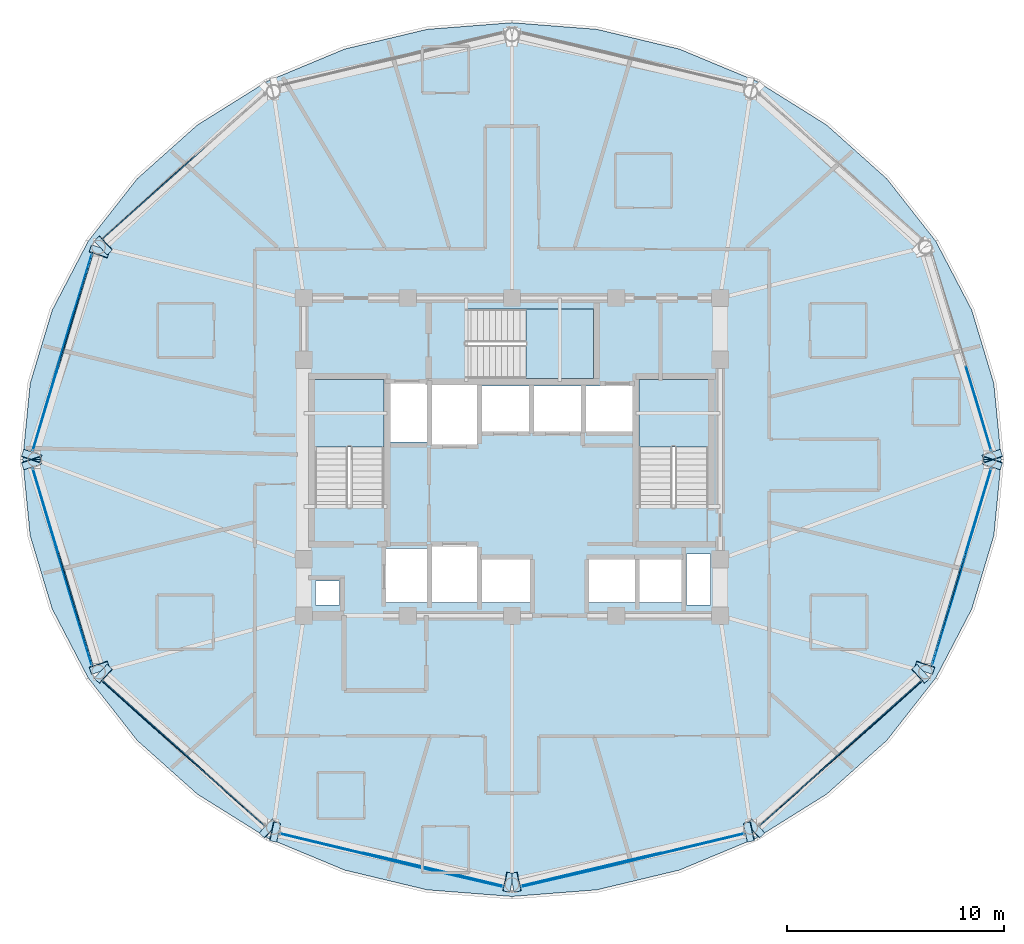
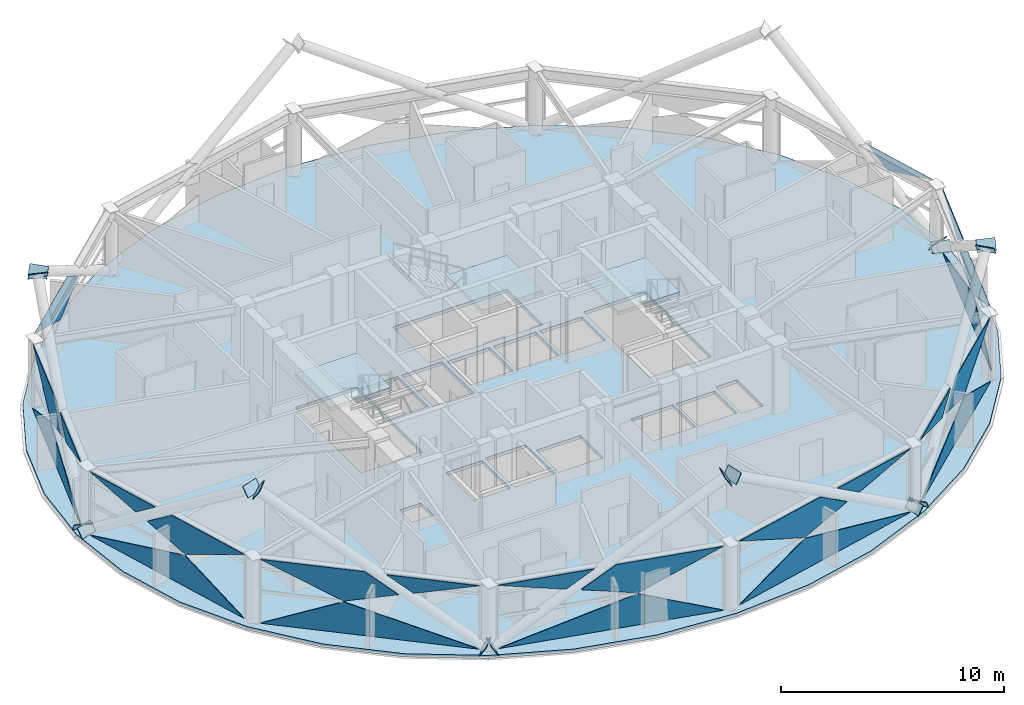
# One storey, part 20 of 29: 39 plates, 4 slabs, 12 elements without a shape of their own.
"""IFC4 building model written with IfcOpenShell, lengths in metres."""

from ifc_helpers import new_model, si_unit, direction, frame, origin, place, context, subcontext, project, spatial, polyline, outline, extrude, material, layer, layer_set, type_object, element, aggregate, save


model = new_model("IFC4")

# Units and contexts
model_context = context("Model", 3, precision=1e-05, world=origin(), true_north=direction((0.0, 1.0)))
body_context = subcontext(model_context, "Body", "Model", "MODEL_VIEW")
ifc_project = project(units=[si_unit("LENGTHUNIT", "METRE"), si_unit("AREAUNIT", "SQUARE_METRE"), si_unit("VOLUMEUNIT", "CUBIC_METRE"), si_unit("PLANEANGLEUNIT", "RADIAN"), si_unit("MASSUNIT", "GRAM", prefix="KILO")], contexts=[model_context])

# Site, building, storey
site_placement = place(None, origin())
site = spatial("IfcSite", under=ifc_project, at=site_placement, CompositionType="ELEMENT")
building_placement = place(site_placement, origin())
building = spatial("IfcBuilding", under=site, at=building_placement, Name="Vantalir Tower", CompositionType="ELEMENT")
storey_placement = place(building_placement, frame((0.0, 0.0, 227.39990234375)))
storey = spatial("IfcBuildingStorey", under=building, at=storey_placement, Name="L57", CompositionType="ELEMENT", Elevation=227.39990234375)

# Curtain wall, plate
ifc_material_1 = material(Name="Champagne-silver PVDF aluminium and double-silver Low-E glass", Category="aluminium")
ifc_layer_1 = layer(ifc_material_1, 0.2099609375)
ifc_layer_set_1 = layer_set([ifc_layer_1], Name="Champagne-silver PVDF aluminium and double-silver Low-E glass")
curtain_wall_type = type_object("IfcCurtainWallType", Name="CW-DIAMOND-Z3", PredefinedType="USERDEFINED", material=ifc_layer_set_1)
curtain_wall_1_placement = place(storey_placement, origin())
curtain_wall_1 = element("IfcCurtainWall", 1, at=curtain_wall_1_placement, inside=storey, type_object=curtain_wall_type, Name="L57 Quilted Pyramid-Diamond Curtain Wall S01", ObjectType="UNITISED CURTAIN WALL", PredefinedType="USERDEFINED")
ifc_material_2 = material(Name="Double-silver Low-E acoustic glass IGU", Category="glass")
ifc_layer_2 = layer(ifc_material_2, 0.031982421875)
ifc_layer_set_2 = layer_set([ifc_layer_2], Name="Double-silver Low-E acoustic glass IGU")
plate_type_1 = type_object("IfcPlateType", Name="CWP-IGU-32", PredefinedType="CURTAIN_PANEL", material=ifc_layer_set_2)
plate_1_placement = place(storey_placement, frame((53.615234375, 25.417236328125, 3.52392578125), z_axis=(0.95753695824, 0.287976002865, 0.013885077547), x_axis=(-0.288002961809, 0.957629516215, -6.0517538e-05)))
plate_1 = element("IfcPlate", 2, at=plate_1_placement, type_object=plate_type_1, Name="CW-L57-S01 Pyramid Diamond Facet 2U Infill Light", PredefinedType="CURTAIN_PANEL", context=body_context, shape_type="SweptSolid", body=[
    extrude(outline(polyline([(0.0, 0.0), (4.034212797939083, -8.944667923005412e-19), (2.8376503359346903, -0.8336488739894059), (0.0, 0.0)])), origin(), (0.0, 0.0, -1.0), 0.031982421875),
])
aggregate(curtain_wall_1, [plate_1])

curtain_wall_2_placement = place(storey_placement, origin())
curtain_wall_2 = element("IfcCurtainWall", 3, at=curtain_wall_2_placement, inside=storey, type_object=curtain_wall_type, Name="L57 Quilted Pyramid-Diamond Curtain Wall S05", ObjectType="UNITISED CURTAIN WALL", PredefinedType="USERDEFINED")
plate_2_placement = place(storey_placement, frame((16.15869140625, 38.3564453125, 3.5234375), z_axis=(-0.665198497623, 0.74654242452, 0.013614960566), x_axis=(-0.746612087311, -0.665259639901, -5.0993851e-05)))
plate_2 = element("IfcPlate", 4, at=plate_2_placement, type_object=plate_type_1, Name="CW-L57-S05 Pyramid Diamond Facet 2U", PredefinedType="CURTAIN_PANEL", context=body_context, shape_type="SweptSolid", body=[
    extrude(outline(polyline([(0.0, 0.0), (4.781059074266019, 2.2497195079074217e-18), (0.9666807196359591, -1.726184922627955), (-1.547985083381374, -1.0284942444870189), (0.0, 0.0)])), origin(), (0.0, 0.0, -1.0), 0.031982421875),
])
aggregate(curtain_wall_2, [plate_2])

# Curtain wall, plates
curtain_wall_3_placement = place(storey_placement, origin())
curtain_wall_3 = element("IfcCurtainWall", 5, at=curtain_wall_3_placement, inside=storey, type_object=curtain_wall_type, Name="L57 Quilted Pyramid-Diamond Curtain Wall S06", ObjectType="UNITISED CURTAIN WALL", PredefinedType="USERDEFINED")
plate_3_placement = place(storey_placement, frame((12.149658203125, 34.486083984375, 0.047119140625), z_axis=(0.957545460034, -0.287948928144, 0.01386025788), x_axis=(-0.287976248669, -0.957637551237, -2.5751252e-05)))
plate_3 = element("IfcPlate", 6, at=plate_3_placement, type_object=plate_type_1, Name="CW-L57-S06 Pyramid Diamond Facet 1L", PredefinedType="CURTAIN_PANEL", context=body_context, shape_type="SweptSolid", body=[
    extrude(outline(polyline([(0.0, 0.0), (9.48072843506402, 3.2255014631443757e-18), (3.607418022445197, -1.7256004506840508), (0.0, 0.0)])), origin(), (0.0, 0.0, -1.0), 0.031982421875),
])
plate_4_placement = place(storey_placement, frame((12.149658203125, 34.486083984375, 3.523193359375), z_axis=(-0.957546657099, 0.287948373961, 0.013788887243), x_axis=(-0.28797575716, -0.957637699387, -3.77998e-07)))
plate_4 = element("IfcPlate", 7, at=plate_4_placement, type_object=plate_type_1, Name="CW-L57-S06 Pyramid Diamond Facet 2U", PredefinedType="CURTAIN_PANEL", context=body_context, shape_type="SweptSolid", body=[
    extrude(outline(polyline([(0.0, 0.0), (4.4852050235488266, 6.938893903907228e-18), (5.966829133970065, -1.0323224512100289), (3.6074630933418432, -1.7257503384835624), (0.0, 0.0)])), origin(), (0.0, 0.0, -1.0), 0.031982421875),
])
plate_5_placement = place(storey_placement, frame((10.546630859375, 29.280517578125, 3.523681640625), z_axis=(-0.95753695824, 0.287976002865, 0.013885077547), x_axis=(-0.288002961809, -0.957629516215, 6.0517538e-05)))
plate_5 = element("IfcPlate", 8, at=plate_5_placement, type_object=plate_type_1, Name="CW-L57-S06 Pyramid Diamond Facet 2U Infill Light", PredefinedType="CURTAIN_PANEL", context=body_context, shape_type="SweptSolid", body=[
    extrude(outline(polyline([(0.0, 0.0), (4.034212797939083, 8.944667923005412e-19), (1.1965624620043926, -0.833648873989406), (0.0, 0.0)])), origin(), (0.0, 0.0, -1.0), 0.031982421875),
])
aggregate(curtain_wall_3, [plate_3, plate_4, plate_5])

curtain_wall_4_placement = place(storey_placement, origin())
curtain_wall_4 = element("IfcCurtainWall", 9, at=curtain_wall_4_placement, inside=storey, type_object=curtain_wall_type, Name="L57 Quilted Pyramid-Diamond Curtain Wall S07", ObjectType="UNITISED CURTAIN WALL", PredefinedType="USERDEFINED")
plate_6_placement = place(storey_placement, frame((9.41943359375, 24.593017578125, 0.046875), z_axis=(0.957545460034, 0.287948928144, 0.01386025788), x_axis=(0.287976248669, -0.957637551237, 2.5751252e-05)))
plate_6 = element("IfcPlate", 10, at=plate_6_placement, type_object=plate_type_1, Name="CW-L57-S07 Pyramid Diamond Facet 1L", PredefinedType="CURTAIN_PANEL", context=body_context, shape_type="SweptSolid", body=[
    extrude(outline(polyline([(0.0, 0.0), (9.48072843506402, -3.2255014631443757e-18), (5.873310412618822, -1.725600450684051), (0.0, 0.0)])), origin(), (0.0, 0.0, -1.0), 0.031982421875),
])
plate_7_placement = place(storey_placement, frame((10.858154296875, 19.80859375, 3.523193359375), z_axis=(-0.95754543503, -0.287949805444, 0.013843749395), x_axis=(0.287977403016, -0.957637204453, 6.8072e-08)))
plate_7 = element("IfcPlate", 11, at=plate_7_placement, type_object=plate_type_1, Name="CW-L57-S07 Pyramid Diamond Facet 2U", PredefinedType="CURTAIN_PANEL", context=body_context, shape_type="SweptSolid", body=[
    extrude(outline(polyline([(0.0, 0.0), (4.484667120479414, 6.938893903907228e-18), (0.8772045208386621, -1.7257513747420947), (-1.481927919903264, -1.0325692473478796), (0.0, 0.0)])), origin(), (0.0, 0.0, -1.0), 0.031982421875),
])
plate_8_placement = place(storey_placement, frame((9.384765625, 24.582763671875, 3.52392578125), z_axis=(-0.957545346387, -0.287960311731, 0.013629691106), x_axis=(0.287986271988, -0.957634535449, -6.0514031e-05)))
plate_8 = element("IfcPlate", 12, at=plate_8_placement, type_object=plate_type_1, Name="CW-L57-S07 Pyramid Diamond Facet 2U Infill Light", PredefinedType="CURTAIN_PANEL", context=body_context, shape_type="SweptSolid", body=[
    extrude(outline(polyline([(0.0, 0.0), (4.034446594820407, -4.716279450311944e-18), (2.837954640959369, -0.8336459359928426), (0.0, 0.0)])), origin(), (0.0, 0.0, -1.0), 0.031982421875),
])
aggregate(curtain_wall_4, [plate_6, plate_7, plate_8])

curtain_wall_5_placement = place(storey_placement, origin())
curtain_wall_5 = element("IfcCurtainWall", 13, at=curtain_wall_5_placement, inside=storey, type_object=curtain_wall_type, Name="L57 Quilted Pyramid-Diamond Curtain Wall S08", ObjectType="UNITISED CURTAIN WALL", PredefinedType="USERDEFINED")
plate_9_placement = place(storey_placement, frame((12.589111328125, 14.82421875, 0.046875), z_axis=(0.665261450361, 0.746487707124, 0.01353904634), x_axis=(0.746556353236, -0.66532218575, -2.4328891e-05)))
plate_9 = element("IfcPlate", 14, at=plate_9_placement, type_object=plate_type_1, Name="CW-L57-S08 Pyramid Diamond Facet 1L", PredefinedType="CURTAIN_PANEL", context=body_context, shape_type="SweptSolid", body=[
    extrude(outline(polyline([(0.0, 0.0), (10.035008323591855, -5.421010862427522e-18), (3.8142440704748686, -1.7260810825309927), (0.0, 0.0)])), origin(), (0.0, 0.0, -1.0), 0.031982421875),
])
plate_10_placement = place(storey_placement, frame((12.589111328125, 14.82421875, 3.523193359375), z_axis=(-0.665265565848, -0.746483671534, 0.013559315236), x_axis=(0.746552764577, -0.665326211026, 5.1225849e-05)))
plate_10 = element("IfcPlate", 15, at=plate_10_placement, type_object=plate_type_1, Name="CW-L57-S08 Pyramid Diamond Facet 2U", PredefinedType="CURTAIN_PANEL", context=body_context, shape_type="SweptSolid", body=[
    extrude(outline(polyline([(0.0, 0.0), (4.78103922675798, -2.4936649967166602e-18), (6.328843047948088, -1.0284949249123434), (3.814197772989466, -1.7261833847836776), (0.0, 0.0)])), origin(), (0.0, 0.0, -1.0), 0.031982421875),
])
plate_11_placement = place(storey_placement, frame((16.8759765625, 10.95556640625, 3.52392578125), z_axis=(-0.665252899084, -0.746497288965, 0.013430481306), x_axis=(0.746564623854, -0.665312905639, 0.0)))
plate_11 = element("IfcPlate", 16, at=plate_11_placement, type_object=plate_type_1, Name="CW-L57-S08 Pyramid Diamond Facet 2U Infill Light", PredefinedType="CURTAIN_PANEL", context=body_context, shape_type="SweptSolid", body=[
    extrude(outline(polyline([(0.0, 0.0), (4.260727204972548, 0.0), (1.2552671329635214, -0.8338154386753872), (0.0, 0.0)])), origin(), (0.0, 0.0, -1.0), 0.031982421875),
])
aggregate(curtain_wall_5, [plate_9, plate_10, plate_11])

curtain_wall_6_placement = place(storey_placement, origin())
curtain_wall_6 = element("IfcCurtainWall", 17, at=curtain_wall_6_placement, inside=storey, type_object=curtain_wall_type, Name="L57 Quilted Pyramid-Diamond Curtain Wall S09", ObjectType="UNITISED CURTAIN WALL", PredefinedType="USERDEFINED")
plate_12_placement = place(storey_placement, frame((20.811279296875, 7.766357421875, 0.046630859375), z_axis=(0.232233400525, 0.972562501405, 0.013777827875), x_axis=(0.972654750392, -0.232255755594, 2.3110025e-05)))
plate_12 = element("IfcPlate", 18, at=plate_12_placement, type_object=plate_type_1, Name="CW-L57-S09 Pyramid Diamond Facet 1L", PredefinedType="CURTAIN_PANEL", context=body_context, shape_type="SweptSolid", body=[
    extrude(outline(polyline([(0.0, 0.0), (10.56427331575007, 4.363913744254155e-18), (6.544886132642092, -1.726330968572304), (0.0, 0.0)])), origin(), (0.0, 0.0, -1.0), 0.031982421875),
])
plate_13_placement = place(storey_placement, frame((26.20703125, 6.477783203125, 3.5234375), z_axis=(-0.232205460143, -0.972570124349, 0.013710488852), x_axis=(0.972661547861, -0.232227288047, -9.409e-09)))
plate_13 = element("IfcPlate", 19, at=plate_13_placement, type_object=plate_type_1, Name="CW-L57-S09 Pyramid Diamond Facet 2U", PredefinedType="CURTAIN_PANEL", context=body_context, shape_type="SweptSolid", body=[
    extrude(outline(polyline([(0.0, 0.0), (5.016790765538966, 0.0), (0.997363013564254, -1.726480627377524), (-1.6351668089487708, -1.0318353293099114), (0.0, 0.0)])), origin(), (0.0, 0.0, -1.0), 0.031982421875),
])
plate_14_placement = place(storey_placement, frame((20.802978515625, 7.731201171875, 3.524169921875), z_axis=(-0.232223843527, -0.97256551414, 0.013726150325), x_axis=(0.972656972527, -0.232246444263, -5.4048509e-05)))
plate_14 = element("IfcPlate", 20, at=plate_14_placement, type_object=plate_type_1, Name="CW-L57-S09 Pyramid Diamond Facet 2U Infill Light", PredefinedType="CURTAIN_PANEL", context=body_context, shape_type="SweptSolid", body=[
    extrude(outline(polyline([(0.0, 0.0), (4.517064917638603, 9.215718466126788e-19), (3.185276819383623, -0.8402390302850273), (0.0, 0.0)])), origin(), (0.0, 0.0, -1.0), 0.031982421875),
])
aggregate(curtain_wall_6, [plate_12, plate_13, plate_14])

curtain_wall_7_placement = place(storey_placement, origin())
curtain_wall_7 = element("IfcCurtainWall", 21, at=curtain_wall_7_placement, inside=storey, type_object=curtain_wall_type, Name="L57 Quilted Pyramid-Diamond Curtain Wall S10", ObjectType="UNITISED CURTAIN WALL", PredefinedType="USERDEFINED")
plate_15_placement = place(storey_placement, frame((31.913330078125, 5.312744140625, 0.046875), z_axis=(-0.232233400525, 0.972562501405, 0.013777827875), x_axis=(0.972654750392, 0.232255755594, -2.3110025e-05)))
plate_15 = element("IfcPlate", 22, at=plate_15_placement, type_object=plate_type_1, Name="CW-L57-S10 Pyramid Diamond Facet 1L", PredefinedType="CURTAIN_PANEL", context=body_context, shape_type="SweptSolid", body=[
    extrude(outline(polyline([(0.0, 0.0), (10.56427331575007, -4.363913744254155e-18), (4.019387183107976, -1.726330968572304), (0.0, 0.0)])), origin(), (0.0, 0.0, -1.0), 0.031982421875),
])
plate_16_placement = place(storey_placement, frame((31.913330078125, 5.312744140625, 3.5234375), z_axis=(0.232205460143, -0.972570124349, 0.013710488852), x_axis=(0.972661547861, 0.232227288047, 9.409e-09)))
plate_16 = element("IfcPlate", 23, at=plate_16_placement, type_object=plate_type_1, Name="CW-L57-S10 Pyramid Diamond Facet 2U", PredefinedType="CURTAIN_PANEL", context=body_context, shape_type="SweptSolid", body=[
    extrude(outline(polyline([(0.0, 0.0), (5.016790765538966, 0.0), (6.651957574487737, -1.0318353293099114), (4.019427751974712, -1.726480627377524), (0.0, 0.0)])), origin(), (0.0, 0.0, -1.0), 0.031982421875),
])
plate_17_placement = place(storey_placement, frame((37.803466796875, 6.68212890625, 3.52392578125), z_axis=(0.232223843527, -0.97256551414, 0.013726150325), x_axis=(0.972656972527, 0.232246444263, 5.4048509e-05)))
plate_17 = element("IfcPlate", 24, at=plate_17_placement, type_object=plate_type_1, Name="CW-L57-S10 Pyramid Diamond Facet 2U Infill Light", PredefinedType="CURTAIN_PANEL", context=body_context, shape_type="SweptSolid", body=[
    extrude(outline(polyline([(0.0, 0.0), (4.517064917638603, -9.215718466126788e-19), (1.33178809825498, -0.8402390302850272), (0.0, 0.0)])), origin(), (0.0, 0.0, -1.0), 0.031982421875),
])
aggregate(curtain_wall_7, [plate_15, plate_16, plate_17])

curtain_wall_8_placement = place(storey_placement, origin())
curtain_wall_8 = element("IfcCurtainWall", 25, at=curtain_wall_8_placement, inside=storey, type_object=curtain_wall_type, Name="L57 Quilted Pyramid-Diamond Curtain Wall S11", ObjectType="UNITISED CURTAIN WALL", PredefinedType="USERDEFINED")
plate_18_placement = place(storey_placement, frame((42.919189453125, 8.147705078125, 0.046630859375), z_axis=(-0.665261450361, 0.746487707124, 0.01353904634), x_axis=(0.746556353236, 0.66532218575, 2.4328891e-05)))
plate_18 = element("IfcPlate", 26, at=plate_18_placement, type_object=plate_type_1, Name="CW-L57-S11 Pyramid Diamond Facet 1L", PredefinedType="CURTAIN_PANEL", context=body_context, shape_type="SweptSolid", body=[
    extrude(outline(polyline([(0.0, 0.0), (10.035008323591855, 5.421010862427522e-18), (6.220764253116987, -1.7260810825309927), (0.0, 0.0)])), origin(), (0.0, 0.0, -1.0), 0.031982421875),
])
plate_19_placement = place(storey_placement, frame((46.841552734375, 11.643310546875, 3.5234375), z_axis=(0.665265565848, -0.746483671534, 0.013559315236), x_axis=(0.746552764577, 0.665326211026, -5.1225849e-05)))
plate_19 = element("IfcPlate", 27, at=plate_19_placement, type_object=plate_type_1, Name="CW-L57-S11 Pyramid Diamond Facet 2U", PredefinedType="CURTAIN_PANEL", context=body_context, shape_type="SweptSolid", body=[
    extrude(outline(polyline([(0.0, 0.0), (4.78103922675798, 2.4936649967166602e-18), (0.9668414537685145, -1.7261833847836776), (-1.5478038211901073, -1.0284949249123434), (0.0, 0.0)])), origin(), (0.0, 0.0, -1.0), 0.031982421875),
])
plate_20_placement = place(storey_placement, frame((42.943115234375, 8.120849609375, 3.52392578125), z_axis=(0.665252899084, -0.746497288965, 0.013430481306), x_axis=(0.746564623854, 0.665312905639, 0.0)))
plate_20 = element("IfcPlate", 28, at=plate_20_placement, type_object=plate_type_1, Name="CW-L57-S11 Pyramid Diamond Facet 2U Infill Light", PredefinedType="CURTAIN_PANEL", context=body_context, shape_type="SweptSolid", body=[
    extrude(outline(polyline([(0.0, 0.0), (4.260727204972548, 0.0), (3.0054600720090265, -0.8338154386753872), (0.0, 0.0)])), origin(), (0.0, 0.0, -1.0), 0.031982421875),
])
aggregate(curtain_wall_8, [plate_18, plate_19, plate_20])

curtain_wall_9_placement = place(storey_placement, origin())
curtain_wall_9 = element("IfcCurtainWall", 29, at=curtain_wall_9_placement, inside=storey, type_object=curtain_wall_type, Name="L57 Quilted Pyramid-Diamond Curtain Wall S12", ObjectType="UNITISED CURTAIN WALL", PredefinedType="USERDEFINED")
plate_21_placement = place(storey_placement, frame((50.850341796875, 15.513916015625, 0.047119140625), z_axis=(-0.957545460034, 0.287948928144, 0.01386025788), x_axis=(0.287976248669, 0.957637551237, -2.5751252e-05)))
plate_21 = element("IfcPlate", 30, at=plate_21_placement, type_object=plate_type_1, Name="CW-L57-S12 Pyramid Diamond Facet 1L", PredefinedType="CURTAIN_PANEL", context=body_context, shape_type="SweptSolid", body=[
    extrude(outline(polyline([(0.0, 0.0), (9.48072843506402, 3.2255014631443757e-18), (3.607418022445197, -1.7256004506840508), (0.0, 0.0)])), origin(), (0.0, 0.0, -1.0), 0.031982421875),
])
plate_22_placement = place(storey_placement, frame((50.850341796875, 15.513916015625, 3.523193359375), z_axis=(0.95754543503, -0.287949805444, 0.013843749395), x_axis=(0.287977403016, 0.957637204453, -6.8072e-08)))
plate_22 = element("IfcPlate", 31, at=plate_22_placement, type_object=plate_type_1, Name="CW-L57-S12 Pyramid Diamond Facet 2U", PredefinedType="CURTAIN_PANEL", context=body_context, shape_type="SweptSolid", body=[
    extrude(outline(polyline([(0.0, 0.0), (4.484667120479414, -6.938893903907228e-18), (5.9665950403826775, -1.0325692473478796), (3.607462599640752, -1.7257513747420947), (0.0, 0.0)])), origin(), (0.0, 0.0, -1.0), 0.031982421875),
])
plate_23_placement = place(storey_placement, frame((52.453369140625, 20.71923828125, 3.523681640625), z_axis=(0.957545346387, -0.287960311731, 0.013629691106), x_axis=(0.287986271988, 0.957634535449, 6.0514031e-05)))
plate_23 = element("IfcPlate", 32, at=plate_23_placement, type_object=plate_type_1, Name="CW-L57-S12 Pyramid Diamond Facet 2U Infill Light", PredefinedType="CURTAIN_PANEL", context=body_context, shape_type="SweptSolid", body=[
    extrude(outline(polyline([(0.0, 0.0), (4.034446594820407, 4.716279450311944e-18), (1.1964919538610381, -0.8336459359928426), (0.0, 0.0)])), origin(), (0.0, 0.0, -1.0), 0.031982421875),
])
aggregate(curtain_wall_9, [plate_21, plate_22, plate_23])

# Plates
ifc_material_3 = material(Name="Steel S460", Category="steel")
ifc_layer_3 = layer(ifc_material_3, 0.035888671875)
ifc_layer_set_3 = layer_set([ifc_layer_3], Name="Steel S460")
plate_type_2 = type_object("IfcPlateType", Name="PLT-KN-Z2", PredefinedType="USERDEFINED", material=ifc_layer_set_3)
plate_24_placement = place(storey_placement, frame((54.009765625, 25.47314453125, -0.027587890625), z_axis=(-0.257731422308, 0.779113893232, 0.571450833693), x_axis=(-0.949402175755, -0.314062905597, 0.0)))
element("IfcPlate", 33, at=plate_24_placement, inside=storey, type_object=plate_type_2, Name="Node Cap Plate MEM-DG-L57-R01L Start", ObjectType="FLANGE_PLATE", PredefinedType="USERDEFINED", context=body_context, shape_type="SweptSolid", body=[
    extrude(outline(polyline([(0.0, 0.0), (0.8799739879318283, 0.0), (0.8798354030362713, 0.5801281468966608), (-0.0001385848955570209, 0.5801281468966608), (0.0, 0.0)])), origin(), (0.0, 0.0, -1.0), 0.035888671875),
])
for number, where, z_axis, x_axis, name in (
    (34, (53.174560546875, 24.80322265625, -0.027587890625), (-0.257750888364, -0.779172738501, 0.571361814549), (0.949402175755, -0.314062905597, 0.0), "Node Cap Plate MEM-DG-L57-R01R Start"),
    (35, (50.052734375, 15.368408203125, 6.892333984375), (-0.257750888364, -0.779172738501, 0.571361814549), (0.949402175755, -0.314062905597, 0.0), "Node Cap Plate MEM-DG-L57-R01R End"),
):
    element("IfcPlate", number, at=place(storey_placement, frame(where, z_axis=z_axis, x_axis=x_axis)), inside=storey, type_object=plate_type_2, Name=name, ObjectType="FLANGE_PLATE", PredefinedType="USERDEFINED", context=body_context, shape_type="SweptSolid", body=[
        extrude(outline(polyline([(0.0, 0.0), (0.8799739879318283, 2.7755575615628914e-17), (0.8798807851868202, 0.5800843340228917), (-9.320274500808357e-05, 0.5800843340228916), (0.0, 0.0)])), origin(), (0.0, 0.0, -1.0), 0.035888671875),
    ])
plate_25_placement = place(storey_placement, frame((12.225830078125, 35.081787109375, 6.892333984375), z_axis=(-0.607981473894, -0.569606977823, 0.553088074557), x_axis=(0.683701112547, -0.729762145292, 0.0)))
element("IfcPlate", 36, at=plate_25_placement, inside=storey, type_object=plate_type_2, Name="Node Cap Plate MEM-DG-L57-R13L End", ObjectType="FLANGE_PLATE", PredefinedType="USERDEFINED", context=body_context, shape_type="SweptSolid", body=[
    extrude(outline(polyline([(0.0, 0.0), (0.8798618123621171, -2.7755575615628914e-17), (0.8799455429433372, 0.5799316777475563), (8.373058122002064e-05, 0.5799316777475564), (0.0, 0.0)])), origin(), (0.0, 0.0, -1.0), 0.035888671875),
])
for number, where, z_axis, x_axis, name in (
    (37, (8.989990234375, 24.52685546875, -0.027587890625), (0.257750888364, -0.779172738501, 0.571361814549), (0.949402175755, 0.314062905597, 0.0), "Node Cap Plate MEM-DG-L57-R19L Start"),
    (38, (12.11181640625, 15.092041015625, 6.892333984375), (0.257750888364, -0.779172738501, 0.571361814549), (0.949402175755, 0.314062905597, 0.0), "Node Cap Plate MEM-DG-L57-R19L End"),
):
    element("IfcPlate", number, at=place(storey_placement, frame(where, z_axis=z_axis, x_axis=x_axis)), inside=storey, type_object=plate_type_2, Name=name, ObjectType="FLANGE_PLATE", PredefinedType="USERDEFINED", context=body_context, shape_type="SweptSolid", body=[
        extrude(outline(polyline([(0.0, 0.0), (0.8799739879318283, -2.7755575615628914e-17), (0.8800671906768364, 0.5800843340228916), (9.320274500808357e-05, 0.5800843340228916), (0.0, 0.0)])), origin(), (0.0, 0.0, -1.0), 0.035888671875),
    ])
plate_26_placement = place(storey_placement, frame((9.82568359375, 25.19677734375, -0.027587890625), z_axis=(0.257731422308, 0.779113893232, 0.571450833693), x_axis=(-0.949402175755, 0.314062905597, 0.0)))
element("IfcPlate", 39, at=plate_26_placement, inside=storey, type_object=plate_type_2, Name="Node Cap Plate MEM-DG-L57-R19R Start", ObjectType="FLANGE_PLATE", PredefinedType="USERDEFINED", context=body_context, shape_type="SweptSolid", body=[
    extrude(outline(polyline([(0.0, 0.0), (0.8799739879318283, 0.0), (0.8801125728273854, 0.5801281468966608), (0.0001385848955570209, 0.5801281468966608), (0.0, 0.0)])), origin(), (0.0, 0.0, -1.0), 0.035888671875),
])
plate_27_placement = place(storey_placement, frame((12.947265625, 34.630615234375, 6.892333984375), z_axis=(0.257750888364, 0.779172738501, 0.571361814549), x_axis=(-0.949402175755, 0.314062905597, 0.0)))
element("IfcPlate", 40, at=plate_27_placement, inside=storey, type_object=plate_type_2, Name="Node Cap Plate MEM-DG-L57-R19R End", ObjectType="FLANGE_PLATE", PredefinedType="USERDEFINED", context=body_context, shape_type="SweptSolid", body=[
    extrude(outline(polyline([(0.0, 0.0), (0.8799739879318283, 2.7755575615628914e-17), (0.8798807851868202, 0.5800843340228917), (-9.320274500808357e-05, 0.5800843340228916), (0.0, 0.0)])), origin(), (0.0, 0.0, -1.0), 0.035888671875),
])
plate_28_placement = place(storey_placement, frame((20.645263671875, 7.36181640625, -0.043701171875), z_axis=(0.826999706118, -0.177884726798, 0.533318394631), x_axis=(0.210286865071, 0.977639726269, 0.0)))
element("IfcPlate", 41, at=plate_28_placement, inside=storey, type_object=plate_type_2, Name="Node Cap Plate MEM-DG-L57-R25L Start", ObjectType="FLANGE_PLATE", PredefinedType="USERDEFINED", context=body_context, shape_type="SweptSolid", body=[
    extrude(outline(polyline([(0.0, 0.0), (0.8800292575914275, 0.0), (0.879908833119745, 0.5801089888917188), (-0.00012042447168256925, 0.5801089888917188), (0.0, 0.0)])), origin(), (0.0, 0.0, -1.0), 0.035888671875),
])
plate_29_placement = place(storey_placement, frame((31.39990234375, 5.048583984375, 6.892333984375), z_axis=(0.826974999812, -0.177904654422, 0.533350057299), x_axis=(0.210323501094, 0.977631845182, -1.3165289e-05)))
element("IfcPlate", 42, at=plate_29_placement, inside=storey, type_object=plate_type_2, Name="Node Cap Plate MEM-DG-L57-R25L End", ObjectType="FLANGE_PLATE", PredefinedType="USERDEFINED", context=body_context, shape_type="SweptSolid", body=[
    extrude(outline(polyline([(0.0, 0.0), (0.8797905772475425, 0.0), (0.879890778072063, 0.5801363738457217), (-0.0001384788251822281, 0.5801089844563846), (0.0, 0.0)])), origin(), (0.0, 0.0, -1.0), 0.035888671875),
])
for number, where, z_axis, x_axis, name in (
    (43, (20.443115234375, 8.425537109375, -0.035400390625), (-0.607987099099, 0.569503977259, 0.553187949269), (-0.683653076483, -0.729807145145, -4.3708415e-05), "Node Cap Plate MEM-DG-L57-R25R Start"),
    (44, (12.827392578125, 15.559326171875, 6.892333984375), (-0.607987099099, 0.569503977259, 0.553187949269), (-0.683653076483, -0.729807145145, -4.3708415e-05), "Node Cap Plate MEM-DG-L57-R25R End"),
):
    element("IfcPlate", number, at=place(storey_placement, frame(where, z_axis=z_axis, x_axis=x_axis)), inside=storey, type_object=plate_type_2, Name=name, ObjectType="FLANGE_PLATE", PredefinedType="USERDEFINED", context=body_context, shape_type="SweptSolid", body=[
        extrude(outline(polyline([(0.0, 0.0), (0.879861809615683, 0.0), (0.8799562491138788, 0.580024011279519), (-8.373607434943987e-05, 0.5799316735799234), (0.0, 0.0)])), origin(), (0.0, 0.0, -1.0), 0.035888671875),
    ])
for number, where, z_axis, x_axis, name in (
    (45, (43.158447265625, 7.783447265625, -0.035400390625), (0.607987099099, 0.569503977259, 0.553187949269), (-0.683653076483, 0.729807145145, 4.3708415e-05), "Node Cap Plate MEM-DG-L57-R31L Start"),
    (46, (50.774169921875, 14.917236328125, 6.892333984375), (0.607987099099, 0.569503977259, 0.553187949269), (-0.683653076483, 0.729807145145, 4.3708415e-05), "Node Cap Plate MEM-DG-L57-R31L End"),
):
    element("IfcPlate", number, at=place(storey_placement, frame(where, z_axis=z_axis, x_axis=x_axis)), inside=storey, type_object=plate_type_2, Name=name, ObjectType="FLANGE_PLATE", PredefinedType="USERDEFINED", context=body_context, shape_type="SweptSolid", body=[
        extrude(outline(polyline([(0.0, 0.0), (0.879861809615683, 0.0), (0.8799455456900325, 0.5799316735799234), (-9.443949819579622e-05, 0.580024011279519), (0.0, 0.0)])), origin(), (0.0, 0.0, -1.0), 0.035888671875),
    ])
plate_30_placement = place(storey_placement, frame((42.169677734375, 8.22216796875, -0.043701171875), z_axis=(-0.826999706118, -0.177884726798, 0.533318394631), x_axis=(0.210286865071, -0.977639726269, 0.0)))
element("IfcPlate", 47, at=plate_30_placement, inside=storey, type_object=plate_type_2, Name="Node Cap Plate MEM-DG-L57-R31R Start", ObjectType="FLANGE_PLATE", PredefinedType="USERDEFINED", context=body_context, shape_type="SweptSolid", body=[
    extrude(outline(polyline([(0.0, 0.0), (0.8800292575914275, 0.0), (0.8801496820631101, 0.5801089888917188), (0.00012042447168256925, 0.5801089888917188), (0.0, 0.0)])), origin(), (0.0, 0.0, -1.0), 0.035888671875),
])
plate_31_placement = place(storey_placement, frame((31.4150390625, 5.90869140625, 6.892333984375), z_axis=(-0.826974999812, -0.177904654422, 0.533350057299), x_axis=(0.210323501094, -0.977631845182, 1.3165289e-05)))
element("IfcPlate", 48, at=plate_31_placement, inside=storey, type_object=plate_type_2, Name="Node Cap Plate MEM-DG-L57-R31R End", ObjectType="FLANGE_PLATE", PredefinedType="USERDEFINED", context=body_context, shape_type="SweptSolid", body=[
    extrude(outline(polyline([(0.0, 0.0), (0.8797905772475425, 0.0), (0.8799290560727246, 0.5801089844563847), (-0.000100200824520458, 0.5801363738457217), (0.0, 0.0)])), origin(), (0.0, 0.0, -1.0), 0.035888671875),
])

# Stair, slab
ifc_material_4 = material(Name="Concrete C40/50", Category="concrete")
stair_type = type_object("IfcStairType", Name="STR-CORE-1450", PredefinedType="HALF_TURN_STAIR", material=ifc_material_4)
stair_1_placement = place(storey_placement, origin())
stair_1 = element("IfcStair", 49, at=stair_1_placement, inside=storey, type_object=stair_type, Name="L57 Core Exit Stair 1", PredefinedType="HALF_TURN_STAIR")
ifc_layer_4 = layer(ifc_material_4, 0.199951171875)
ifc_layer_set_4 = layer_set([ifc_layer_4], Name="Concrete C40/50")
slab_type_1 = type_object("IfcSlabType", Name="SL-LAND-200", PredefinedType="LANDING", material=ifc_layer_set_4)
slab_1_placement = place(storey_placement, frame((0.0, 0.0, 1.675048828125)))
slab_1 = element("IfcSlab", 50, at=slab_1_placement, type_object=slab_type_1, Name="ST1 landing 1", PredefinedType="LANDING", context=body_context, shape_type="SweptSolid", body=[
    extrude(outline(polyline([(25.60009765625, 25.590087890625), (25.60009765625, 28.699951171875), (22.39990234375, 28.699951171875), (22.39990234375, 25.590087890625), (25.60009765625, 25.590087890625)])), origin(), (0.0, 0.0, 1.0), 0.199951171875),
])
aggregate(stair_1, [slab_1])

stair_2_placement = place(storey_placement, origin())
stair_2 = element("IfcStair", 51, at=stair_2_placement, inside=storey, type_object=stair_type, Name="L57 Core Exit Stair 2", PredefinedType="HALF_TURN_STAIR")
slab_2_placement = place(storey_placement, frame((0.0, 0.0, 1.675048828125)))
slab_2 = element("IfcSlab", 52, at=slab_2_placement, type_object=slab_type_1, Name="ST2 landing 1", PredefinedType="LANDING", context=body_context, shape_type="SweptSolid", body=[
    extrude(outline(polyline([(40.550048828125, 25.590087890625), (40.550048828125, 28.699951171875), (37.35009765625, 28.699951171875), (37.35009765625, 25.590087890625), (40.550048828125, 25.590087890625)])), origin(), (0.0, 0.0, 1.0), 0.199951171875),
])
aggregate(stair_2, [slab_2])

stair_3_placement = place(storey_placement, origin())
stair_3 = element("IfcStair", 53, at=stair_3_placement, inside=storey, type_object=stair_type, Name="L57 Core Exit Stair 3", PredefinedType="HALF_TURN_STAIR")
slab_3_placement = place(storey_placement, frame((0.0, 0.0, 1.675048828125)))
slab_3 = element("IfcSlab", 54, at=slab_3_placement, type_object=slab_type_1, Name="ST3 landing 1", PredefinedType="LANDING", context=body_context, shape_type="SweptSolid", body=[
    extrude(outline(polyline([(32.139892578125, 28.75), (35.25, 28.75), (35.25, 31.949951171875), (32.139892578125, 31.949951171875), (32.139892578125, 28.75)])), origin(), (0.0, 0.0, 1.0), 0.199951171875),
])
aggregate(stair_3, [slab_3])

# Slab
ifc_layer_5 = layer(ifc_material_4, 0.179931640625)
ifc_layer_set_5 = layer_set([ifc_layer_5], Name="Concrete C40/50")
slab_type_2 = type_object("IfcSlabType", Name="SL-TWR-180", PredefinedType="FLOOR", material=ifc_layer_set_5)
slab_4_placement = place(storey_placement, frame((0.0, 0.0, -0.179931640625)))
element("IfcSlab", 55, at=slab_4_placement, inside=storey, type_object=slab_type_2, Name="L57 Primary Structural Slab", PredefinedType="FLOOR", context=body_context, shape_type="SweptSolid", body=[
    extrude(outline(polyline([(14.216064453125, 12.050048828125), (16.9970703125, 9.56689453125), (20.218017578125, 7.552978515625), (23.782958984375, 6.069091796875), (27.58203125, 5.159912109375), (31.5, 4.85400390625), (35.41796875, 5.159912109375), (39.217041015625, 6.069091796875), (42.781982421875, 7.552978515625), (46.0029296875, 9.56689453125), (48.783935546875, 12.050048828125), (51.0400390625, 14.927001953125), (52.701904296875, 18.110107421875), (53.719970703125, 21.501953125), (54.06298828125, 25.0), (53.719970703125, 28.498046875), (52.701904296875, 31.889892578125), (51.0400390625, 35.072998046875), (48.783935546875, 37.949951171875), (46.0029296875, 40.43310546875), (42.781982421875, 42.447021484375), (39.217041015625, 43.930908203125), (35.41796875, 44.840087890625), (31.5, 45.14599609375), (27.58203125, 44.840087890625), (23.782958984375, 43.930908203125), (20.218994140625, 42.447021484375), (16.9970703125, 40.43310546875), (14.216064453125, 37.949951171875), (11.9599609375, 35.072998046875), (10.298095703125, 31.889892578125), (9.280029296875, 28.498046875), (8.93701171875, 25.0), (9.280029296875, 21.501953125), (10.298095703125, 18.110107421875), (11.9599609375, 14.927001953125), (14.216064453125, 12.050048828125)]), holes=[polyline([(22.39990234375, 28.699951171875), (25.60009765625, 28.699951171875), (25.60009765625, 22.7900390625), (22.39990234375, 22.7900390625), (22.39990234375, 28.699951171875)]), polyline([(40.550048828125, 28.699951171875), (40.550048828125, 22.7900390625), (37.35009765625, 22.7900390625), (37.35009765625, 28.699951171875), (40.550048828125, 28.699951171875)]), polyline([(29.340087890625, 28.75), (29.340087890625, 31.949951171875), (35.25, 31.949951171875), (35.25, 28.75), (29.340087890625, 28.75)]), polyline([(25.699951171875, 18.39990234375), (25.699951171875, 20.89990234375), (27.60009765625, 20.89990234375), (27.60009765625, 18.39990234375), (25.699951171875, 18.39990234375)]), polyline([(25.699951171875, 28.5), (27.60009765625, 28.5), (27.60009765625, 25.800048828125), (25.699951171875, 25.800048828125), (25.699951171875, 28.5)]), polyline([(29.89990234375, 21.0), (29.89990234375, 18.39990234375), (27.800048828125, 18.39990234375), (27.800048828125, 21.0), (29.89990234375, 21.0)]), polyline([(29.89990234375, 25.699951171875), (27.800048828125, 25.699951171875), (27.800048828125, 28.5), (29.89990234375, 28.5), (29.89990234375, 25.699951171875)]), polyline([(30.10009765625, 18.39990234375), (30.10009765625, 20.39990234375), (32.39990234375, 20.39990234375), (32.39990234375, 18.39990234375), (30.10009765625, 18.39990234375)]), polyline([(37.35009765625, 20.39990234375), (39.35009765625, 20.39990234375), (39.35009765625, 18.39990234375), (37.35009765625, 18.39990234375), (37.35009765625, 20.39990234375)]), polyline([(37.199951171875, 20.39990234375), (37.199951171875, 18.39990234375), (35.0, 18.39990234375), (35.0, 20.39990234375), (37.199951171875, 20.39990234375)]), polyline([(32.300048828125, 26.300048828125), (30.10009765625, 26.300048828125), (30.10009765625, 28.39990234375), (32.300048828125, 28.39990234375), (32.300048828125, 26.300048828125)]), polyline([(32.5, 26.300048828125), (32.5, 28.39990234375), (34.699951171875, 28.39990234375), (34.699951171875, 26.300048828125), (32.5, 26.300048828125)]), polyline([(34.89990234375, 28.39990234375), (37.10009765625, 28.39990234375), (37.10009765625, 26.300048828125), (34.89990234375, 26.300048828125), (34.89990234375, 28.39990234375)]), polyline([(23.550048828125, 19.39990234375), (23.550048828125, 18.300048828125), (22.449951171875, 18.300048828125), (22.449951171875, 19.39990234375), (23.550048828125, 19.39990234375)]), polyline([(40.64990234375, 18.300048828125), (39.550048828125, 18.300048828125), (39.550048828125, 20.64990234375), (40.64990234375, 20.64990234375), (40.64990234375, 18.300048828125)])]), origin(), (0.0, 0.0, 1.0), 0.179931640625),
])

save(model, "model.ifc")
